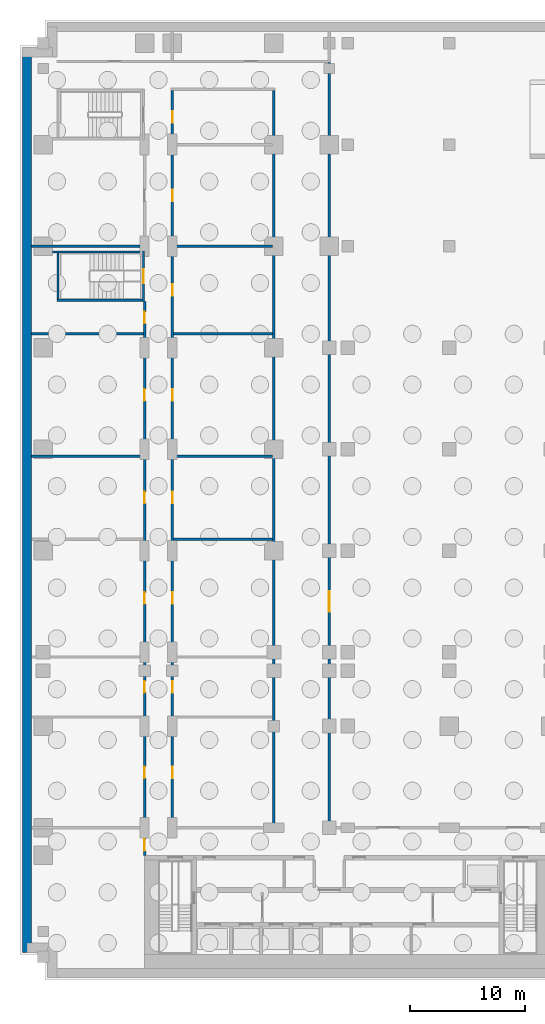
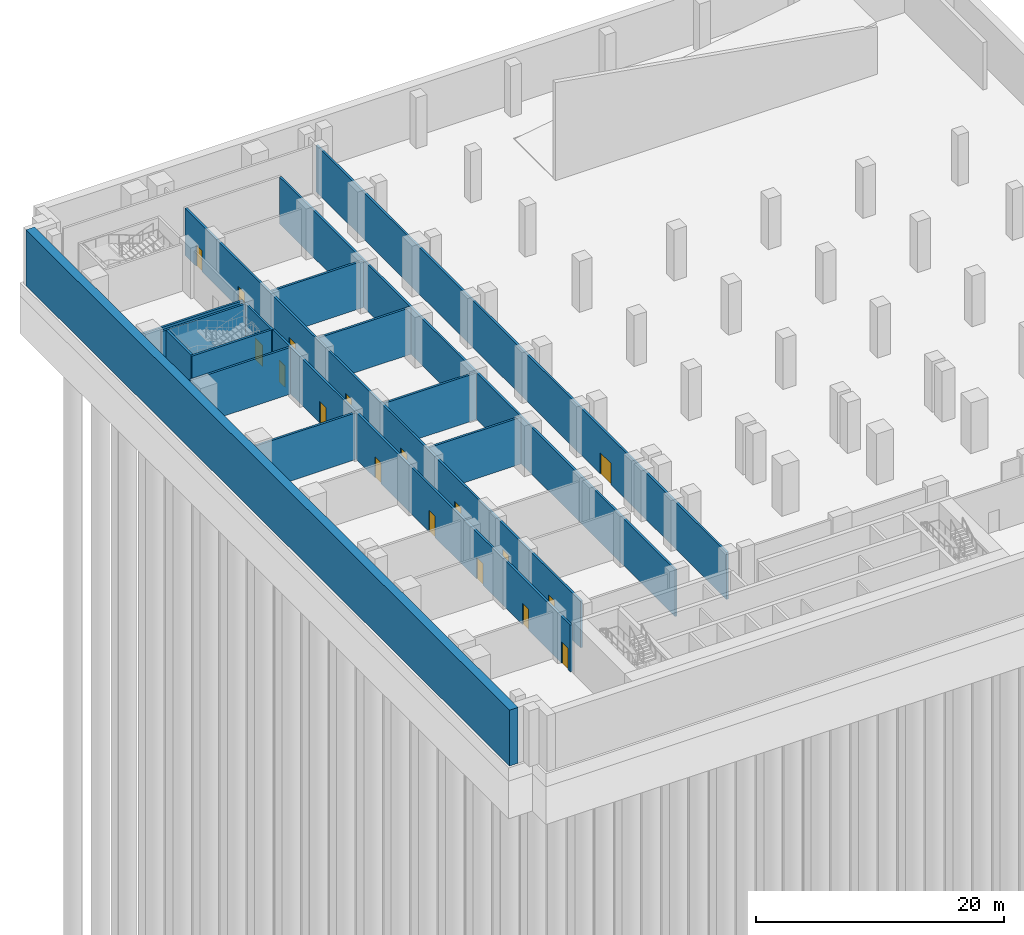
# One storey, part 6 of 14: 17 doors, 16 walls, 17 openings.
"""IFC4 building model written with IfcOpenShell, lengths in metres."""

from ifc_helpers import new_model, si_unit, direction, frame, frame_2d, origin, place, context, subcontext, project, spatial, rectangle, extrude, material, layer, layer_set, type_object, element, fill, save


model = new_model("IFC4")

# Units and contexts
model_context = context("Model", 3, precision=1e-05, world=origin(), true_north=direction((0.0, 1.0)))
body_context = subcontext(model_context, "Body", "Model", "MODEL_VIEW")
ifc_project = project(units=[si_unit("LENGTHUNIT", "METRE"), si_unit("AREAUNIT", "SQUARE_METRE"), si_unit("VOLUMEUNIT", "CUBIC_METRE"), si_unit("PLANEANGLEUNIT", "RADIAN"), si_unit("MASSUNIT", "GRAM", prefix="KILO")], contexts=[model_context])

# Site, building, storey
site_placement = place(None, origin())
site = spatial("IfcSite", under=ifc_project, at=site_placement, CompositionType="ELEMENT")
building_placement = place(site_placement, origin())
building = spatial("IfcBuilding", under=site, at=building_placement, Name="Kemantara Hotel Tower", CompositionType="ELEMENT")
storey_placement = place(building_placement, frame((0.0, 0.0, -17.0)))
storey = spatial("IfcBuildingStorey", under=building, at=storey_placement, Name="B3", CompositionType="ELEMENT", Elevation=-17.0)

# Wall
ifc_material_1 = material(Name="Concrete fc 40 MPa", Category="concrete")
ifc_layer_1 = layer(ifc_material_1, 0.800048828125)
ifc_layer_set_1 = layer_set([ifc_layer_1], Name="Concrete fc 40 MPa")
wall_type_1 = type_object("IfcWallType", Name="BASEMENT PERIMETER WALL 800 FC40", PredefinedType="SHEAR", material=ifc_layer_set_1)
wall_1_placement = place(storey_placement, frame((-0.39990234375, 1.39990234375, -0.5), z_axis=(0.0, 0.0, 1.0), x_axis=(0.0, 1.0, 0.0)))
element("IfcWall", 1, at=wall_1_placement, inside=storey, type_object=wall_type_1, Name="BASEMENT PERIMETER WALL B3 7", PredefinedType="SHEAR", context=body_context, shape_type="SweptSolid", body=[
    extrude(rectangle(XDim=78.0, YDim=0.800048828125, at=frame_2d((39.0, 0.0))), origin(), (0.0, 0.0, 1.0), 5.5),
])

# Wall, opening, door
ifc_layer_2 = layer(ifc_material_1, 0.199951171875)
ifc_layer_set_2 = layer_set([ifc_layer_2], Name="Concrete fc 40 MPa")
wall_type_2 = type_object("IfcWallType", Name="Concrete stair wall 200 mm", PredefinedType="SHEAR", material=ifc_layer_set_2)
wall_2_placement = place(storey_placement, frame((9.699951171875, 57.800048828125, 0.0), z_axis=(0.0, 0.0, 1.0), x_axis=(0.0, 1.0, 0.0)))
wall_2 = element("IfcWall", 2, at=wall_2_placement, inside=storey, type_object=wall_type_2, Name="Stair ST4 enclosure wall with door", PredefinedType="SHEAR", context=body_context, shape_type="SweptSolid", body=[
    extrude(rectangle(XDim=4.39990234375, YDim=0.199951171875, at=frame_2d((2.199951171875, 0.0))), origin(), (0.0, 0.0, 1.0), 4.60009765625),
])
opening_1_placement = place(wall_2_placement, frame((1.60009765625, 0.0, 0.0)))
opening_1 = element("IfcOpeningElement", 3, at=opening_1_placement, cuts=wall_2, Name="Opening ST4-C", PredefinedType="OPENING", context=body_context, shape_type="SweptSolid", body=[
    extrude(rectangle(XDim=1.199951171875, YDim=2.10009765625, at=frame_2d((0.60009765625, 1.050048828125))), frame((0.0, 0.10986328125, 0.0), z_axis=(0.0, -1.0, 0.0), x_axis=(1.0, 0.0, 0.0)), (0.0, 0.0, 1.0), 0.219970703125),
])
ifc_material_2 = material(Name="Steel fire door", Category="steel")
door_type_1 = type_object("IfcDoorType", Name="Fire door FD90 1200 x 2100", OperationType="NOTDEFINED", PredefinedType="DOOR", material=ifc_material_2)
door_1_placement = place(opening_1_placement, origin())
door_1 = element("IfcDoor", 4, at=door_1_placement, inside=storey, type_object=door_type_1, Name="Stair ST4 door", OperationType="SINGLE_SWING_RIGHT", OverallHeight=2.10009765625, OverallWidth=1.199951171875, PredefinedType="DOOR", context=body_context, shape_type="SweptSolid", body=[
    extrude(rectangle(XDim=1.199951171875, YDim=2.10009765625, at=frame_2d((0.60009765625, 1.050048828125))), frame((0.0, 0.02490234375, 0.0), z_axis=(0.0, -1.0, 0.0), x_axis=(1.0, 0.0, 0.0)), (0.0, 0.0, 1.0), 0.050048828125),
])
fill(opening_1, door_1)

# Walls
wall_3_placement = place(storey_placement, frame((1.800048828125, 62.10009765625, 0.0), z_axis=(0.0, 0.0, 1.0), x_axis=(1.0, 0.0, 0.0)))
element("IfcWall", 5, at=wall_3_placement, inside=storey, type_object=wall_type_2, Name="Stair ST4 enclosure wall N", PredefinedType="SHEAR", context=body_context, shape_type="SweptSolid", body=[
    extrude(rectangle(XDim=7.800048828125, YDim=0.199951171875, at=frame_2d((3.89990234375, 0.0))), origin(), (0.0, 0.0, 1.0), 4.60009765625),
])
wall_4_placement = place(storey_placement, frame((2.199951171875, 57.89990234375, 0.0), z_axis=(0.0, 0.0, 1.0), x_axis=(1.0, 0.0, 0.0)))
element("IfcWall", 6, at=wall_4_placement, inside=storey, type_object=wall_type_2, Name="Stair ST4 enclosure wall S", PredefinedType="SHEAR", context=body_context, shape_type="SweptSolid", body=[
    extrude(rectangle(XDim=7.400146484375, YDim=0.199951171875, at=frame_2d((3.7001953125, 0.0))), origin(), (0.0, 0.0, 1.0), 4.60009765625),
])
wall_5_placement = place(storey_placement, frame((2.300048828125, 58.0, 0.0), z_axis=(0.0, 0.0, 1.0), x_axis=(0.0, 1.0, 0.0)))
element("IfcWall", 7, at=wall_5_placement, inside=storey, type_object=wall_type_2, Name="Stair ST4 enclosure wall W", PredefinedType="SHEAR", context=body_context, shape_type="SweptSolid", body=[
    extrude(rectangle(XDim=4.0, YDim=0.199951171875, at=frame_2d((2.0, 0.0))), origin(), (0.0, 0.0, 1.0), 4.60009765625),
])
ifc_material_3 = material(Name="Clay brick masonry", Category="masonry")
ifc_layer_3 = layer(ifc_material_3, 0.199951171875)
ifc_layer_set_3 = layer_set([ifc_layer_3], Name="Clay brick masonry")
wall_type_3 = type_object("IfcWallType", Name="FIRE-RATED CLAY BRICK WALL 200 EI 120", PredefinedType="PARTITIONING", material=ifc_layer_set_3)
wall_6_placement = place(storey_placement, frame((12.300048828125, 37.199951171875, 0.0), z_axis=(0.0, 0.0, 1.0), x_axis=(1.0, 0.0, 0.0)))
element("IfcWall", 8, at=wall_6_placement, inside=storey, type_object=wall_type_3, Name="FIRE WALL", PredefinedType="PARTITIONING", context=body_context, shape_type="SweptSolid", body=[
    extrude(rectangle(XDim=8.599853515625, YDim=0.199951171875, at=frame_2d((4.2998046875, 0.0))), origin(), (0.0, 0.0, 1.0), 4.60009765625),
])
wall_7_placement = place(storey_placement, frame((0.0, 44.39990234375, 0.0), z_axis=(0.0, 0.0, 1.0), x_axis=(1.0, 0.0, 0.0)))
element("IfcWall", 9, at=wall_7_placement, inside=storey, type_object=wall_type_3, Name="FIRE WALL", PredefinedType="PARTITIONING", context=body_context, shape_type="SweptSolid", body=[
    extrude(rectangle(XDim=9.699951171875, YDim=0.199951171875, at=frame_2d((4.85009765625, 0.0))), origin(), (0.0, 0.0, 1.0), 4.60009765625),
])
wall_8_placement = place(storey_placement, frame((12.300048828125, 44.39990234375, 0.0), z_axis=(0.0, 0.0, 1.0), x_axis=(1.0, 0.0, 0.0)))
element("IfcWall", 10, at=wall_8_placement, inside=storey, type_object=wall_type_3, Name="FIRE WALL", PredefinedType="PARTITIONING", context=body_context, shape_type="SweptSolid", body=[
    extrude(rectangle(XDim=8.599853515625, YDim=0.199951171875, at=frame_2d((4.2998046875, 0.0))), origin(), (0.0, 0.0, 1.0), 4.60009765625),
])
wall_9_placement = place(storey_placement, frame((0.0, 55.0, 0.0), z_axis=(0.0, 0.0, 1.0), x_axis=(1.0, 0.0, 0.0)))
element("IfcWall", 11, at=wall_9_placement, inside=storey, type_object=wall_type_3, Name="FIRE WALL", PredefinedType="PARTITIONING", context=body_context, shape_type="SweptSolid", body=[
    extrude(rectangle(XDim=9.699951171875, YDim=0.199951171875, at=frame_2d((4.85009765625, 0.0))), origin(), (0.0, 0.0, 1.0), 4.60009765625),
])
wall_10_placement = place(storey_placement, frame((12.300048828125, 55.0, 0.0), z_axis=(0.0, 0.0, 1.0), x_axis=(1.0, 0.0, 0.0)))
element("IfcWall", 12, at=wall_10_placement, inside=storey, type_object=wall_type_3, Name="FIRE WALL", PredefinedType="PARTITIONING", context=body_context, shape_type="SweptSolid", body=[
    extrude(rectangle(XDim=8.599853515625, YDim=0.199951171875, at=frame_2d((4.2998046875, 0.0))), origin(), (0.0, 0.0, 1.0), 4.60009765625),
])
wall_11_placement = place(storey_placement, frame((0.0, 62.60009765625, 0.0), z_axis=(0.0, 0.0, 1.0), x_axis=(1.0, 0.0, 0.0)))
element("IfcWall", 13, at=wall_11_placement, inside=storey, type_object=wall_type_3, Name="FIRE WALL", PredefinedType="PARTITIONING", context=body_context, shape_type="SweptSolid", body=[
    extrude(rectangle(XDim=9.699951171875, YDim=0.199951171875, at=frame_2d((4.85009765625, 0.0))), origin(), (0.0, 0.0, 1.0), 4.60009765625),
])
wall_12_placement = place(storey_placement, frame((12.300048828125, 62.60009765625, 0.0), z_axis=(0.0, 0.0, 1.0), x_axis=(1.0, 0.0, 0.0)))
element("IfcWall", 14, at=wall_12_placement, inside=storey, type_object=wall_type_3, Name="FIRE WALL", PredefinedType="PARTITIONING", context=body_context, shape_type="SweptSolid", body=[
    extrude(rectangle(XDim=8.599853515625, YDim=0.199951171875, at=frame_2d((4.2998046875, 0.0))), origin(), (0.0, 0.0, 1.0), 4.60009765625),
])

# Wall, openings, doors
ifc_material_4 = material(Name="Fire-rated gypsum board partition")
ifc_layer_4 = layer(ifc_material_4, 0.199951171875)
ifc_layer_set_4 = layer_set([ifc_layer_4], Name="Fire-rated gypsum board partition")
wall_type_4 = type_object("IfcWallType", Name="FIRE-RATED GYPSUM PARTITION 200 EI 60", PredefinedType="PARTITIONING", material=ifc_layer_set_4)
wall_13_placement = place(storey_placement, frame((9.800048828125, 9.800048828125, 0.0), z_axis=(0.0, 0.0, 1.0), x_axis=(0.0, 1.0, 0.0)))
wall_13 = element("IfcWall", 15, at=wall_13_placement, inside=storey, type_object=wall_type_4, Name="FIRE-RATED PARTITION", PredefinedType="PARTITIONING", context=body_context, shape_type="SweptSolid", body=[
    extrude(rectangle(XDim=48.0, YDim=0.199951171875, at=frame_2d((24.0, 0.0))), origin(), (0.0, 0.0, 1.0), 4.60009765625),
])
opening_2_placement = place(wall_13_placement, frame((0.39990234375, 0.0, 0.0)))
opening_2 = element("IfcOpeningElement", 16, at=opening_2_placement, cuts=wall_13, Name="Opening B3-B001", PredefinedType="OPENING", context=body_context, shape_type="SweptSolid", body=[
    extrude(rectangle(XDim=1.0, YDim=2.10009765625, at=frame_2d((0.5, 1.050048828125))), frame((0.0, 0.10986328125, 0.0), z_axis=(0.0, -1.0, 0.0), x_axis=(1.0, 0.0, 0.0)), (0.0, 0.0, 1.0), 0.219970703125),
])
opening_3_placement = place(wall_13_placement, frame((6.699951171875, 0.0, 0.0)))
opening_3 = element("IfcOpeningElement", 17, at=opening_3_placement, cuts=wall_13, Name="Opening B3-B002", PredefinedType="OPENING", context=body_context, shape_type="SweptSolid", body=[
    extrude(rectangle(XDim=1.0, YDim=2.10009765625, at=frame_2d((0.5, 1.050048828125))), frame((0.0, 0.10986328125, 0.0), z_axis=(0.0, -1.0, 0.0), x_axis=(1.0, 0.0, 0.0)), (0.0, 0.0, 1.0), 0.219970703125),
])
opening_4_placement = place(wall_13_placement, frame((14.10009765625, 0.0, 0.0)))
opening_4 = element("IfcOpeningElement", 18, at=opening_4_placement, cuts=wall_13, Name="Opening B3-B003", PredefinedType="OPENING", context=body_context, shape_type="SweptSolid", body=[
    extrude(rectangle(XDim=1.0, YDim=2.10009765625, at=frame_2d((0.5, 1.050048828125))), frame((0.0, 0.10986328125, 0.0), z_axis=(0.0, -1.0, 0.0), x_axis=(1.0, 0.0, 0.0)), (0.0, 0.0, 1.0), 0.219970703125),
])
opening_5_placement = place(wall_13_placement, frame((21.800048828125, 0.0, 0.0)))
opening_5 = element("IfcOpeningElement", 19, at=opening_5_placement, cuts=wall_13, Name="Opening B3-B004", PredefinedType="OPENING", context=body_context, shape_type="SweptSolid", body=[
    extrude(rectangle(XDim=1.0, YDim=2.10009765625, at=frame_2d((0.5, 1.050048828125))), frame((0.0, 0.10986328125, 0.0), z_axis=(0.0, -1.0, 0.0), x_axis=(1.0, 0.0, 0.0)), (0.0, 0.0, 1.0), 0.219970703125),
])
opening_6_placement = place(wall_13_placement, frame((30.5, 0.0, 0.0)))
opening_6 = element("IfcOpeningElement", 20, at=opening_6_placement, cuts=wall_13, Name="Opening B3-B005", PredefinedType="OPENING", context=body_context, shape_type="SweptSolid", body=[
    extrude(rectangle(XDim=1.0, YDim=2.10009765625, at=frame_2d((0.5, 1.050048828125))), frame((0.0, 0.10986328125, 0.0), z_axis=(0.0, -1.0, 0.0), x_axis=(1.0, 0.0, 0.0)), (0.0, 0.0, 1.0), 0.219970703125),
])
opening_7_placement = place(wall_13_placement, frame((39.39990234375, 0.0, 0.0)))
opening_7 = element("IfcOpeningElement", 21, at=opening_7_placement, cuts=wall_13, Name="Opening B3-B006", PredefinedType="OPENING", context=body_context, shape_type="SweptSolid", body=[
    extrude(rectangle(XDim=1.0, YDim=2.10009765625, at=frame_2d((0.5, 1.050048828125))), frame((0.0, 0.10986328125, 0.0), z_axis=(0.0, -1.0, 0.0), x_axis=(1.0, 0.0, 0.0)), (0.0, 0.0, 1.0), 0.219970703125),
])
opening_8_placement = place(wall_13_placement, frame((46.10009765625, 0.0, 0.0)))
opening_8 = element("IfcOpeningElement", 22, at=opening_8_placement, cuts=wall_13, Name="Opening B3-B007", PredefinedType="OPENING", context=body_context, shape_type="SweptSolid", body=[
    extrude(rectangle(XDim=1.0, YDim=2.10009765625, at=frame_2d((0.5, 1.050048828125))), frame((0.0, 0.10986328125, 0.0), z_axis=(0.0, -1.0, 0.0), x_axis=(1.0, 0.0, 0.0)), (0.0, 0.0, 1.0), 0.219970703125),
])
ifc_material_5 = material(Name="Galvanised steel door leaf", Category="steel")
door_type_2 = type_object("IfcDoorType", Name="FIRE-RATED STEEL DOOR 1000 X 2100", OperationType="SINGLE_SWING_LEFT", PredefinedType="DOOR", material=ifc_material_5)
door_2_placement = place(opening_2_placement, frame((1.0, 0.0, 0.0), z_axis=(0.0, 0.0, 1.0), x_axis=(-1.0, 0.0, 0.0)))
door_2 = element("IfcDoor", 23, at=door_2_placement, inside=storey, type_object=door_type_2, Name="FIRE-RATED STEEL DOOR", OperationType="SINGLE_SWING_RIGHT", OverallHeight=2.10009765625, OverallWidth=1.0, PredefinedType="DOOR", context=body_context, shape_type="SweptSolid", body=[
    extrude(rectangle(XDim=1.0, YDim=2.10009765625, at=frame_2d((0.5, 1.050048828125))), frame((0.0, 0.02490234375, 0.0), z_axis=(0.0, -1.0, 0.0), x_axis=(1.0, 0.0, 0.0)), (0.0, 0.0, 1.0), 0.050048828125),
])
fill(opening_2, door_2)
door_3_placement = place(opening_3_placement, frame((1.0, 0.0, 0.0), z_axis=(0.0, 0.0, 1.0), x_axis=(-1.0, 0.0, 0.0)))
door_3 = element("IfcDoor", 24, at=door_3_placement, inside=storey, type_object=door_type_2, Name="FIRE-RATED STEEL DOOR", OperationType="SINGLE_SWING_RIGHT", OverallHeight=2.10009765625, OverallWidth=1.0, PredefinedType="DOOR", context=body_context, shape_type="SweptSolid", body=[
    extrude(rectangle(XDim=1.0, YDim=2.10009765625, at=frame_2d((0.5, 1.050048828125))), frame((0.0, 0.02490234375, 0.0), z_axis=(0.0, -1.0, 0.0), x_axis=(1.0, 0.0, 0.0)), (0.0, 0.0, 1.0), 0.050048828125),
])
fill(opening_3, door_3)
door_4_placement = place(opening_4_placement, frame((1.0, 0.0, 0.0), z_axis=(0.0, 0.0, 1.0), x_axis=(-1.0, 0.0, 0.0)))
door_4 = element("IfcDoor", 25, at=door_4_placement, inside=storey, type_object=door_type_2, Name="FIRE-RATED STEEL DOOR", OperationType="SINGLE_SWING_RIGHT", OverallHeight=2.10009765625, OverallWidth=1.0, PredefinedType="DOOR", context=body_context, shape_type="SweptSolid", body=[
    extrude(rectangle(XDim=1.0, YDim=2.10009765625, at=frame_2d((0.5, 1.050048828125))), frame((0.0, 0.02490234375, 0.0), z_axis=(0.0, -1.0, 0.0), x_axis=(1.0, 0.0, 0.0)), (0.0, 0.0, 1.0), 0.050048828125),
])
fill(opening_4, door_4)
door_5_placement = place(opening_5_placement, frame((1.0, 0.0, 0.0), z_axis=(0.0, 0.0, 1.0), x_axis=(-1.0, 0.0, 0.0)))
door_5 = element("IfcDoor", 26, at=door_5_placement, inside=storey, type_object=door_type_2, Name="FIRE-RATED STEEL DOOR", OperationType="SINGLE_SWING_RIGHT", OverallHeight=2.10009765625, OverallWidth=1.0, PredefinedType="DOOR", context=body_context, shape_type="SweptSolid", body=[
    extrude(rectangle(XDim=1.0, YDim=2.10009765625, at=frame_2d((0.5, 1.050048828125))), frame((0.0, 0.02490234375, 0.0), z_axis=(0.0, -1.0, 0.0), x_axis=(1.0, 0.0, 0.0)), (0.0, 0.0, 1.0), 0.050048828125),
])
fill(opening_5, door_5)
door_6_placement = place(opening_6_placement, frame((1.0, 0.0, 0.0), z_axis=(0.0, 0.0, 1.0), x_axis=(-1.0, 0.0, 0.0)))
door_6 = element("IfcDoor", 27, at=door_6_placement, inside=storey, type_object=door_type_2, Name="FIRE-RATED STEEL DOOR", OperationType="SINGLE_SWING_LEFT", OverallHeight=2.10009765625, OverallWidth=1.0, PredefinedType="DOOR", context=body_context, shape_type="SweptSolid", body=[
    extrude(rectangle(XDim=1.0, YDim=2.10009765625, at=frame_2d((0.5, 1.050048828125))), frame((0.0, 0.02490234375, 0.0), z_axis=(0.0, -1.0, 0.0), x_axis=(1.0, 0.0, 0.0)), (0.0, 0.0, 1.0), 0.050048828125),
])
fill(opening_6, door_6)
door_7_placement = place(opening_7_placement, frame((1.0, 0.0, 0.0), z_axis=(0.0, 0.0, 1.0), x_axis=(-1.0, 0.0, 0.0)))
door_7 = element("IfcDoor", 28, at=door_7_placement, inside=storey, type_object=door_type_2, Name="FIRE-RATED STEEL DOOR", OperationType="SINGLE_SWING_LEFT", OverallHeight=2.10009765625, OverallWidth=1.0, PredefinedType="DOOR", context=body_context, shape_type="SweptSolid", body=[
    extrude(rectangle(XDim=1.0, YDim=2.10009765625, at=frame_2d((0.5, 1.050048828125))), frame((0.0, 0.02490234375, 0.0), z_axis=(0.0, -1.0, 0.0), x_axis=(1.0, 0.0, 0.0)), (0.0, 0.0, 1.0), 0.050048828125),
])
fill(opening_7, door_7)
door_8_placement = place(opening_8_placement, frame((1.0, 0.0, 0.0), z_axis=(0.0, 0.0, 1.0), x_axis=(-1.0, 0.0, 0.0)))
door_8 = element("IfcDoor", 29, at=door_8_placement, inside=storey, type_object=door_type_2, Name="FIRE-RATED STEEL DOOR", OperationType="SINGLE_SWING_LEFT", OverallHeight=2.10009765625, OverallWidth=1.0, PredefinedType="DOOR", context=body_context, shape_type="SweptSolid", body=[
    extrude(rectangle(XDim=1.0, YDim=2.10009765625, at=frame_2d((0.5, 1.050048828125))), frame((0.0, 0.02490234375, 0.0), z_axis=(0.0, -1.0, 0.0), x_axis=(1.0, 0.0, 0.0)), (0.0, 0.0, 1.0), 0.050048828125),
])
fill(opening_8, door_8)

wall_14_placement = place(storey_placement, frame((12.199951171875, 12.300048828125, 0.0), z_axis=(0.0, 0.0, 1.0), x_axis=(0.0, 1.0, 0.0)))
wall_14 = element("IfcWall", 30, at=wall_14_placement, inside=storey, type_object=wall_type_4, Name="FIRE-RATED PARTITION", PredefinedType="PARTITIONING", context=body_context, shape_type="SweptSolid", body=[
    extrude(rectangle(XDim=63.800048828125, YDim=0.199951171875, at=frame_2d((31.89990234375, 0.0))), origin(), (0.0, 0.0, 1.0), 4.60009765625),
])
opening_9_placement = place(wall_14_placement, frame((4.199951171875, 0.0, 0.0)))
opening_9 = element("IfcOpeningElement", 31, at=opening_9_placement, cuts=wall_14, Name="Opening B3-B009", PredefinedType="OPENING", context=body_context, shape_type="SweptSolid", body=[
    extrude(rectangle(XDim=1.0, YDim=2.10009765625, at=frame_2d((0.5, 1.050048828125))), frame((0.0, 0.10986328125, 0.0), z_axis=(0.0, -1.0, 0.0), x_axis=(1.0, 0.0, 0.0)), (0.0, 0.0, 1.0), 0.219970703125),
])
opening_10_placement = place(wall_14_placement, frame((11.60009765625, 0.0, 0.0)))
opening_10 = element("IfcOpeningElement", 32, at=opening_10_placement, cuts=wall_14, Name="Opening B3-B010", PredefinedType="OPENING", context=body_context, shape_type="SweptSolid", body=[
    extrude(rectangle(XDim=1.0, YDim=2.10009765625, at=frame_2d((0.5, 1.050048828125))), frame((0.0, 0.10986328125, 0.0), z_axis=(0.0, -1.0, 0.0), x_axis=(1.0, 0.0, 0.0)), (0.0, 0.0, 1.0), 0.219970703125),
])
opening_11_placement = place(wall_14_placement, frame((19.300048828125, 0.0, 0.0)))
opening_11 = element("IfcOpeningElement", 33, at=opening_11_placement, cuts=wall_14, Name="Opening B3-B011", PredefinedType="OPENING", context=body_context, shape_type="SweptSolid", body=[
    extrude(rectangle(XDim=1.0, YDim=2.10009765625, at=frame_2d((0.5, 1.050048828125))), frame((0.0, 0.10986328125, 0.0), z_axis=(0.0, -1.0, 0.0), x_axis=(1.0, 0.0, 0.0)), (0.0, 0.0, 1.0), 0.219970703125),
])
opening_12_placement = place(wall_14_placement, frame((28.0, 0.0, 0.0)))
opening_12 = element("IfcOpeningElement", 34, at=opening_12_placement, cuts=wall_14, Name="Opening B3-B012", PredefinedType="OPENING", context=body_context, shape_type="SweptSolid", body=[
    extrude(rectangle(XDim=1.0, YDim=2.10009765625, at=frame_2d((0.5, 1.050048828125))), frame((0.0, 0.10986328125, 0.0), z_axis=(0.0, -1.0, 0.0), x_axis=(1.0, 0.0, 0.0)), (0.0, 0.0, 1.0), 0.219970703125),
])
opening_13_placement = place(wall_14_placement, frame((36.89990234375, 0.0, 0.0)))
opening_13 = element("IfcOpeningElement", 35, at=opening_13_placement, cuts=wall_14, Name="Opening B3-B013", PredefinedType="OPENING", context=body_context, shape_type="SweptSolid", body=[
    extrude(rectangle(XDim=1.0, YDim=2.10009765625, at=frame_2d((0.5, 1.050048828125))), frame((0.0, 0.10986328125, 0.0), z_axis=(0.0, -1.0, 0.0), x_axis=(1.0, 0.0, 0.0)), (0.0, 0.0, 1.0), 0.219970703125),
])
opening_14_placement = place(wall_14_placement, frame((46.0, 0.0, 0.0)))
opening_14 = element("IfcOpeningElement", 36, at=opening_14_placement, cuts=wall_14, Name="Opening B3-B014", PredefinedType="OPENING", context=body_context, shape_type="SweptSolid", body=[
    extrude(rectangle(XDim=1.0, YDim=2.10009765625, at=frame_2d((0.5, 1.050048828125))), frame((0.0, 0.10986328125, 0.0), z_axis=(0.0, -1.0, 0.0), x_axis=(1.0, 0.0, 0.0)), (0.0, 0.0, 1.0), 0.219970703125),
])
opening_15_placement = place(wall_14_placement, frame((54.199951171875, 0.0, 0.0)))
opening_15 = element("IfcOpeningElement", 37, at=opening_15_placement, cuts=wall_14, Name="Opening B3-B015", PredefinedType="OPENING", context=body_context, shape_type="SweptSolid", body=[
    extrude(rectangle(XDim=1.0, YDim=2.10009765625, at=frame_2d((0.5, 1.050048828125))), frame((0.0, 0.10986328125, 0.0), z_axis=(0.0, -1.0, 0.0), x_axis=(1.0, 0.0, 0.0)), (0.0, 0.0, 1.0), 0.219970703125),
])
opening_16_placement = place(wall_14_placement, frame((61.0, 0.0, 0.0)))
opening_16 = element("IfcOpeningElement", 38, at=opening_16_placement, cuts=wall_14, Name="Opening B3-B016", PredefinedType="OPENING", context=body_context, shape_type="SweptSolid", body=[
    extrude(rectangle(XDim=1.0, YDim=2.10009765625, at=frame_2d((0.5, 1.050048828125))), frame((0.0, 0.10986328125, 0.0), z_axis=(0.0, -1.0, 0.0), x_axis=(1.0, 0.0, 0.0)), (0.0, 0.0, 1.0), 0.219970703125),
])
door_9_placement = place(opening_9_placement, origin())
door_9 = element("IfcDoor", 39, at=door_9_placement, inside=storey, type_object=door_type_2, Name="FIRE-RATED STEEL DOOR", OperationType="SINGLE_SWING_LEFT", OverallHeight=2.10009765625, OverallWidth=1.0, PredefinedType="DOOR", context=body_context, shape_type="SweptSolid", body=[
    extrude(rectangle(XDim=1.0, YDim=2.10009765625, at=frame_2d((0.5, 1.050048828125))), frame((0.0, 0.02490234375, 0.0), z_axis=(0.0, -1.0, 0.0), x_axis=(1.0, 0.0, 0.0)), (0.0, 0.0, 1.0), 0.050048828125),
])
fill(opening_9, door_9)
door_10_placement = place(opening_10_placement, origin())
door_10 = element("IfcDoor", 40, at=door_10_placement, inside=storey, type_object=door_type_2, Name="FIRE-RATED STEEL DOOR", OperationType="SINGLE_SWING_LEFT", OverallHeight=2.10009765625, OverallWidth=1.0, PredefinedType="DOOR", context=body_context, shape_type="SweptSolid", body=[
    extrude(rectangle(XDim=1.0, YDim=2.10009765625, at=frame_2d((0.5, 1.050048828125))), frame((0.0, 0.02490234375, 0.0), z_axis=(0.0, -1.0, 0.0), x_axis=(1.0, 0.0, 0.0)), (0.0, 0.0, 1.0), 0.050048828125),
])
fill(opening_10, door_10)
door_11_placement = place(opening_11_placement, origin())
door_11 = element("IfcDoor", 41, at=door_11_placement, inside=storey, type_object=door_type_2, Name="FIRE-RATED STEEL DOOR", OperationType="SINGLE_SWING_LEFT", OverallHeight=2.10009765625, OverallWidth=1.0, PredefinedType="DOOR", context=body_context, shape_type="SweptSolid", body=[
    extrude(rectangle(XDim=1.0, YDim=2.10009765625, at=frame_2d((0.5, 1.050048828125))), frame((0.0, 0.02490234375, 0.0), z_axis=(0.0, -1.0, 0.0), x_axis=(1.0, 0.0, 0.0)), (0.0, 0.0, 1.0), 0.050048828125),
])
fill(opening_11, door_11)
door_12_placement = place(opening_12_placement, origin())
door_12 = element("IfcDoor", 42, at=door_12_placement, inside=storey, type_object=door_type_2, Name="FIRE-RATED STEEL DOOR", OperationType="SINGLE_SWING_LEFT", OverallHeight=2.10009765625, OverallWidth=1.0, PredefinedType="DOOR", context=body_context, shape_type="SweptSolid", body=[
    extrude(rectangle(XDim=1.0, YDim=2.10009765625, at=frame_2d((0.5, 1.050048828125))), frame((0.0, 0.02490234375, 0.0), z_axis=(0.0, -1.0, 0.0), x_axis=(1.0, 0.0, 0.0)), (0.0, 0.0, 1.0), 0.050048828125),
])
fill(opening_12, door_12)
door_13_placement = place(opening_13_placement, origin())
door_13 = element("IfcDoor", 43, at=door_13_placement, inside=storey, type_object=door_type_2, Name="FIRE-RATED STEEL DOOR", OperationType="SINGLE_SWING_RIGHT", OverallHeight=2.10009765625, OverallWidth=1.0, PredefinedType="DOOR", context=body_context, shape_type="SweptSolid", body=[
    extrude(rectangle(XDim=1.0, YDim=2.10009765625, at=frame_2d((0.5, 1.050048828125))), frame((0.0, 0.02490234375, 0.0), z_axis=(0.0, -1.0, 0.0), x_axis=(1.0, 0.0, 0.0)), (0.0, 0.0, 1.0), 0.050048828125),
])
fill(opening_13, door_13)
door_14_placement = place(opening_14_placement, origin())
door_14 = element("IfcDoor", 44, at=door_14_placement, inside=storey, type_object=door_type_2, Name="FIRE-RATED STEEL DOOR", OperationType="SINGLE_SWING_RIGHT", OverallHeight=2.10009765625, OverallWidth=1.0, PredefinedType="DOOR", context=body_context, shape_type="SweptSolid", body=[
    extrude(rectangle(XDim=1.0, YDim=2.10009765625, at=frame_2d((0.5, 1.050048828125))), frame((0.0, 0.02490234375, 0.0), z_axis=(0.0, -1.0, 0.0), x_axis=(1.0, 0.0, 0.0)), (0.0, 0.0, 1.0), 0.050048828125),
])
fill(opening_14, door_14)
door_15_placement = place(opening_15_placement, origin())
door_15 = element("IfcDoor", 45, at=door_15_placement, inside=storey, type_object=door_type_2, Name="FIRE-RATED STEEL DOOR", OperationType="SINGLE_SWING_RIGHT", OverallHeight=2.10009765625, OverallWidth=1.0, PredefinedType="DOOR", context=body_context, shape_type="SweptSolid", body=[
    extrude(rectangle(XDim=1.0, YDim=2.10009765625, at=frame_2d((0.5, 1.050048828125))), frame((0.0, 0.02490234375, 0.0), z_axis=(0.0, -1.0, 0.0), x_axis=(1.0, 0.0, 0.0)), (0.0, 0.0, 1.0), 0.050048828125),
])
fill(opening_15, door_15)
door_16_placement = place(opening_16_placement, origin())
door_16 = element("IfcDoor", 46, at=door_16_placement, inside=storey, type_object=door_type_2, Name="FIRE-RATED STEEL DOOR", OperationType="SINGLE_SWING_RIGHT", OverallHeight=2.10009765625, OverallWidth=1.0, PredefinedType="DOOR", context=body_context, shape_type="SweptSolid", body=[
    extrude(rectangle(XDim=1.0, YDim=2.10009765625, at=frame_2d((0.5, 1.050048828125))), frame((0.0, 0.02490234375, 0.0), z_axis=(0.0, -1.0, 0.0), x_axis=(1.0, 0.0, 0.0)), (0.0, 0.0, 1.0), 0.050048828125),
])
fill(opening_16, door_16)

# Wall
wall_15_placement = place(storey_placement, frame((21.0, 12.300048828125, 0.0), z_axis=(0.0, 0.0, 1.0), x_axis=(0.0, 1.0, 0.0)))
element("IfcWall", 47, at=wall_15_placement, inside=storey, type_object=wall_type_4, Name="FIRE-RATED PARTITION", PredefinedType="PARTITIONING", context=body_context, shape_type="SweptSolid", body=[
    extrude(rectangle(XDim=63.800048828125, YDim=0.199951171875, at=frame_2d((31.89990234375, 0.0))), origin(), (0.0, 0.0, 1.0), 4.60009765625),
])

# Wall, opening, door
wall_16_placement = place(storey_placement, frame((25.800048828125, 12.300048828125, 0.0), z_axis=(0.0, 0.0, 1.0), x_axis=(0.0, 1.0, 0.0)))
wall_16 = element("IfcWall", 48, at=wall_16_placement, inside=storey, type_object=wall_type_4, Name="FIRE-RATED PARTITION", PredefinedType="PARTITIONING", context=body_context, shape_type="SweptSolid", body=[
    extrude(rectangle(XDim=66.199951171875, YDim=0.199951171875, at=frame_2d((33.10009765625, 0.0))), origin(), (0.0, 0.0, 1.0), 4.60009765625),
])
opening_17_placement = place(wall_16_placement, frame((18.60009765625, 0.0, 0.0)))
opening_17 = element("IfcOpeningElement", 49, at=opening_17_placement, cuts=wall_16, Name="Opening B3-B025", PredefinedType="OPENING", context=body_context, shape_type="SweptSolid", body=[
    extrude(rectangle(XDim=1.800048828125, YDim=2.10009765625, at=frame_2d((0.89990234375, 1.050048828125))), frame((0.0, 0.10986328125, 0.0), z_axis=(0.0, -1.0, 0.0), x_axis=(1.0, 0.0, 0.0)), (0.0, 0.0, 1.0), 0.219970703125),
])
door_type_3 = type_object("IfcDoorType", Name="FIRE-RATED STEEL DOOR DOUBLE LEAF 1800 X 2100", OperationType="DOUBLE_DOOR_SINGLE_SWING", PredefinedType="DOOR", material=ifc_material_5)
door_17_placement = place(opening_17_placement, frame((1.800048828125, 0.0, 0.0), z_axis=(0.0, 0.0, 1.0), x_axis=(-1.0, 0.0, 0.0)))
door_17 = element("IfcDoor", 50, at=door_17_placement, inside=storey, type_object=door_type_3, Name="FIRE-RATED STEEL DOOR DOUBLE LEAF", OperationType="DOUBLE_DOOR_SINGLE_SWING", OverallHeight=2.10009765625, OverallWidth=1.800048828125, PredefinedType="DOOR", context=body_context, shape_type="SweptSolid", body=[
    extrude(rectangle(XDim=1.800048828125, YDim=2.10009765625, at=frame_2d((0.89990234375, 1.050048828125))), frame((0.0, 0.02490234375, 0.0), z_axis=(0.0, -1.0, 0.0), x_axis=(1.0, 0.0, 0.0)), (0.0, 0.0, 1.0), 0.050048828125),
])
fill(opening_17, door_17)

save(model, "model.ifc")
